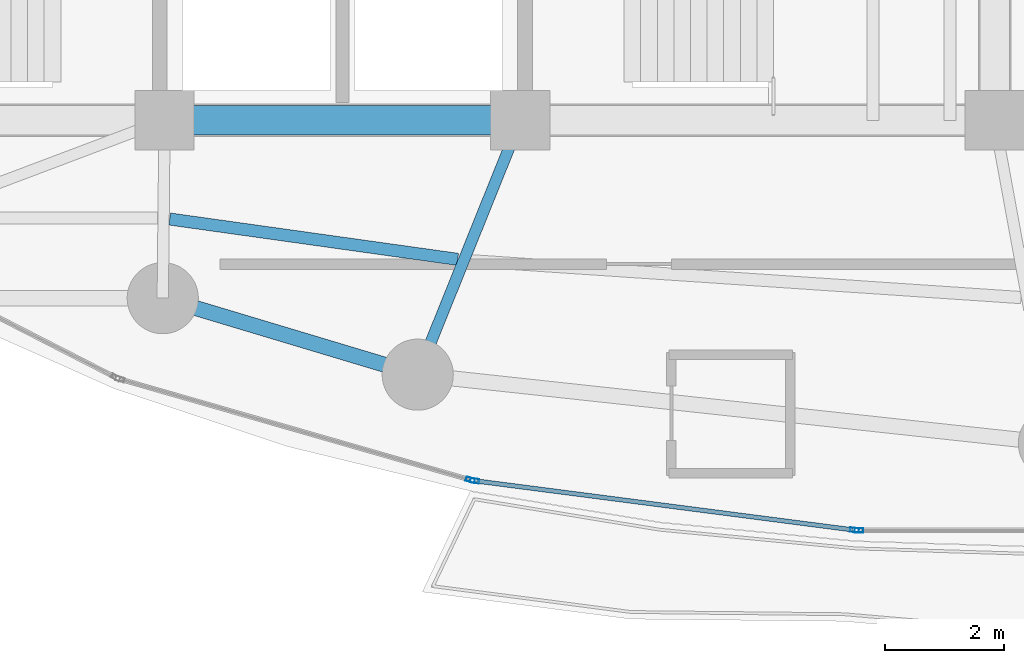
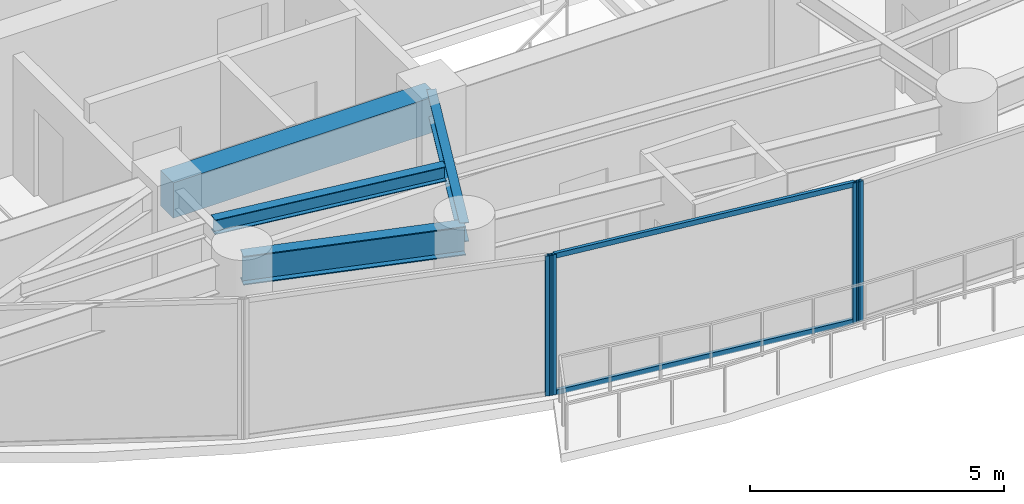
# One storey, part 5 of 28: 6 members, 4 beams, 3 elements without a shape of their own.
"""IFC4 building model written with IfcOpenShell, lengths in metres."""

from ifc_helpers import new_model, si_unit, direction, frame, origin, origin_2d, place, context, subcontext, project, spatial, rectangle, hollow_rectangle, i_section, extrude, material, layer, layer_set, material_profile, profile_set, type_object, element, aggregate, save


model = new_model("IFC4")

# Units and contexts
model_context = context("Model", 3, precision=1e-05, world=origin(), true_north=direction((0.0, 1.0)))
body_context = subcontext(model_context, "Body", "Model", "MODEL_VIEW")
ifc_project = project(units=[si_unit("LENGTHUNIT", "METRE"), si_unit("AREAUNIT", "SQUARE_METRE"), si_unit("VOLUMEUNIT", "CUBIC_METRE"), si_unit("PLANEANGLEUNIT", "RADIAN"), si_unit("MASSUNIT", "GRAM", prefix="KILO")], contexts=[model_context])

# Site, building, storey
site_placement = place(None, origin())
site = spatial("IfcSite", under=ifc_project, at=site_placement, CompositionType="ELEMENT")
building_placement = place(site_placement, origin())
building = spatial("IfcBuilding", under=site, at=building_placement, Name="Kazevale Care Tower and Concert Hall", CompositionType="ELEMENT")
storey_placement = place(building_placement, frame((0.0, 0.0, 142.199951171875)))
storey = spatial("IfcBuildingStorey", under=building, at=storey_placement, Name="L37", CompositionType="ELEMENT", Elevation=142.199951171875)

# Curtain wall, member
ifc_material_1 = material(Name="Aluminium 6063-T6 and Low-E Glass", Category="aluminium")
ifc_layer = layer(ifc_material_1, 0.179931640625)
ifc_layer_set = layer_set([ifc_layer], Name="Aluminium 6063-T6 and Low-E Glass")
curtain_wall_type = type_object("IfcCurtainWallType", Name="Sheltered Concave Balcony Curtain Wall CW-5", PredefinedType="NOTDEFINED", material=ifc_layer_set)
curtain_wall_1_placement = place(storey_placement, origin())
curtain_wall_1 = element("IfcCurtainWall", 1, at=curtain_wall_1_placement, inside=storey, type_object=curtain_wall_type, Name="cw:L37:f06", PredefinedType="NOTDEFINED")
ifc_material_2 = material(Name="Aluminium 6063-T6", Category="aluminium")
ifc_material_profile_1 = material_profile(ifc_material_2, hollow_rectangle(XDim=0.074951171875, YDim=0.14990234375, WallThickness=0.00390625, at=origin_2d()), Name="ALU75x150x4")
ifc_profile_set_1 = profile_set([ifc_material_profile_1], Name="Aluminium 6063-T6")
member_type_1 = type_object("IfcMemberType", Name="CW-5 Mullion ALU75x150x4", PredefinedType="MULLION", material=ifc_profile_set_1)
member_1_placement = place(storey_placement, frame((41.71240234375, 16.68408203125, 0.0), z_axis=(0.0, 0.0, 1.0), x_axis=(0.0, -1.0, 0.0)))
member_1 = element("IfcMember", 2, at=member_1_placement, type_object=member_type_1, Name="CW-5 mullion 2", PredefinedType="MULLION", context=body_context, shape_type="SweptSolid", body=[
    extrude(hollow_rectangle(XDim=0.074951171875, YDim=0.14990234375, WallThickness=0.00390625, at=origin_2d()), origin(), (0.0, 0.0, 1.0), 3.360107421875),
])
aggregate(curtain_wall_1, [member_1])

# Curtain wall, members
curtain_wall_2_placement = place(storey_placement, origin())
curtain_wall_2 = element("IfcCurtainWall", 3, at=curtain_wall_2_placement, inside=storey, type_object=curtain_wall_type, Name="cw:L37:f07", PredefinedType="NOTDEFINED")
member_2_placement = place(storey_placement, frame((41.6376953125, 16.688720703125, 0.0), z_axis=(0.0, 0.0, 1.0), x_axis=(-0.12868500567, -0.991685519364, 0.0)))
member_2 = element("IfcMember", 4, at=member_2_placement, type_object=member_type_1, Name="CW-5 mullion 1", PredefinedType="MULLION", context=body_context, shape_type="SweptSolid", body=[
    extrude(hollow_rectangle(XDim=0.074951171875, YDim=0.14990234375, WallThickness=0.00390625, at=origin_2d()), origin(), (0.0, 0.0, 1.0), 3.360107421875),
])
member_3_placement = place(storey_placement, frame((35.231201171875, 17.520263671875, 0.0), z_axis=(0.0, 0.0, 1.0), x_axis=(-0.12868500567, -0.991685519364, 0.0)))
member_3 = element("IfcMember", 5, at=member_3_placement, type_object=member_type_1, Name="CW-5 mullion 2", PredefinedType="MULLION", context=body_context, shape_type="SweptSolid", body=[
    extrude(hollow_rectangle(XDim=0.074951171875, YDim=0.14990234375, WallThickness=0.00390625, at=origin_2d()), origin(), (0.0, 0.0, 1.0), 3.360107421875),
])

# Curtain wall, member
curtain_wall_3_placement = place(storey_placement, origin())
curtain_wall_3 = element("IfcCurtainWall", 6, at=curtain_wall_3_placement, inside=storey, type_object=curtain_wall_type, Name="cw:L37:f08", PredefinedType="NOTDEFINED")
member_4_placement = place(storey_placement, frame((35.157958984375, 17.535400390625, 0.0), z_axis=(0.0, 0.0, 1.0), x_axis=(-0.276290733172, -0.961074102639, 0.0)))
member_4 = element("IfcMember", 7, at=member_4_placement, type_object=member_type_1, Name="CW-5 mullion 1", PredefinedType="MULLION", context=body_context, shape_type="SweptSolid", body=[
    extrude(hollow_rectangle(XDim=0.074951171875, YDim=0.14990234375, WallThickness=0.00390625, at=origin_2d()), origin(), (0.0, 0.0, 1.0), 3.360107421875),
])
aggregate(curtain_wall_3, [member_4])

# Member
ifc_material_profile_2 = material_profile(ifc_material_2, hollow_rectangle(XDim=0.074951171875, YDim=0.1201171875, WallThickness=0.00390625, at=origin_2d()), Name="ALU75x120x4")
ifc_profile_set_2 = profile_set([ifc_material_profile_2], Name="Aluminium 6063-T6")
member_type_2 = type_object("IfcMemberType", Name="CW-5 Transom ALU75x120x4", PredefinedType="USERDEFINED", material=ifc_profile_set_2)
member_5_placement = place(storey_placement, frame((41.6005859375, 16.693603515625, 0.03759765625), z_axis=(-0.991683991743, 0.12869677743, 0.0), x_axis=(-0.12869677743, -0.991683991743, 0.0)))
member_5 = element("IfcMember", 8, at=member_5_placement, type_object=member_type_2, Name="CW-5 transom 1.1", ObjectType="TRANSOM", PredefinedType="USERDEFINED", context=body_context, shape_type="SweptSolid", body=[
    extrude(hollow_rectangle(XDim=0.074951171875, YDim=0.1201171875, WallThickness=0.00390625, at=origin_2d()), origin(), (0.0, 0.0, 1.0), 6.385498046875),
])

member_6_placement = place(storey_placement, frame((41.6005859375, 16.693603515625, 3.322509765625), z_axis=(-0.991683991743, 0.12869677743, 0.0), x_axis=(-0.12869677743, -0.991683991743, 0.0)))
member_6 = element("IfcMember", 9, at=member_6_placement, type_object=member_type_2, Name="CW-5 transom 1.2", ObjectType="TRANSOM", PredefinedType="USERDEFINED", context=body_context, shape_type="SweptSolid", body=[
    extrude(hollow_rectangle(XDim=0.074951171875, YDim=0.1201171875, WallThickness=0.00390625, at=origin_2d()), origin(), (0.0, 0.0, 1.0), 6.385498046875),
])

aggregate(curtain_wall_2, [member_2, member_3, member_5, member_6])

# Beams
ifc_material_3 = material(Name="Concrete C60", Category="concrete")
ifc_material_profile_3 = material_profile(ifc_material_3, rectangle(XDim=0.5, YDim=0.85009765625, at=origin_2d()), Name="RC-B500x850")
ifc_profile_set_3 = profile_set([ifc_material_profile_3], Name="Concrete C60")
beam_type_1 = type_object("IfcBeamType", Name="Core Coupling Beam RC500x850", PredefinedType="LINTEL", material=ifc_profile_set_3)
beam_1_placement = place(storey_placement, frame((30.0, 23.60009765625, 2.93505859375), z_axis=(1.0, 0.0, 0.0), x_axis=(0.0, 1.0, 0.0)))
element("IfcBeam", 10, at=beam_1_placement, inside=storey, type_object=beam_type_1, Name="beam:L37:coretie:2", PredefinedType="LINTEL", context=body_context, shape_type="SweptSolid", body=[
    extrude(rectangle(XDim=0.5, YDim=0.85009765625, at=origin_2d()), origin(), (0.0, 0.0, 1.0), 6.0),
])
ifc_material_4 = material(Name="Steel ASTM A572 Gr 50", Category="steel")
ifc_material_profile_4 = material_profile(ifc_material_4, i_section(OverallWidth=0.19091796875, OverallDepth=0.4599609375, WebThickness=0.010009765625, FlangeThickness=0.01611328125, at=origin_2d()), Name="W460x82")
ifc_profile_set_4 = profile_set([ifc_material_profile_4], Name="Steel ASTM A572 Gr 50")
beam_type_2 = type_object("IfcBeamType", Name="Radial Floor Beam W460x82", PredefinedType="BEAM", material=ifc_profile_set_4)
beam_2_placement = place(storey_placement, frame((36.0, 23.60009765625, 3.130126953125), z_axis=(-0.373991766452, -0.927432023722, 0.0), x_axis=(0.927432023722, -0.373991766452, 0.0)))
element("IfcBeam", 11, at=beam_2_placement, inside=storey, type_object=beam_type_2, Name="beam:L37:rad:12", PredefinedType="BEAM", context=body_context, shape_type="SweptSolid", body=[
    extrude(i_section(OverallWidth=0.19091796875, OverallDepth=0.4599609375, WebThickness=0.010009765625, FlangeThickness=0.01611328125, at=origin_2d()), origin(), (0.0, 0.0, 1.0), 4.625732421875),
])
ifc_material_profile_5 = material_profile(ifc_material_4, i_section(OverallWidth=0.205078125, OverallDepth=0.35400390625, WebThickness=0.009521484375, FlangeThickness=0.016845703125, at=origin_2d()), Name="W360x79")
ifc_profile_set_5 = profile_set([ifc_material_profile_5], Name="Steel ASTM A572 Gr 50")
beam_type_3 = type_object("IfcBeamType", Name="Secondary Floor Joist W360x79", PredefinedType="JOIST", material=ifc_profile_set_5)
beam_3_placement = place(storey_placement, frame((30.0869140625, 21.93505859375, 3.18310546875), z_axis=(0.990340789942, -0.138654678164, 0.0), x_axis=(0.138654678164, 0.990340789942, 0.0)))
element("IfcBeam", 12, at=beam_3_placement, inside=storey, type_object=beam_type_3, Name="beam:L37:joist:11", PredefinedType="JOIST", context=body_context, shape_type="SweptSolid", body=[
    extrude(i_section(OverallWidth=0.205078125, OverallDepth=0.35400390625, WebThickness=0.009521484375, FlangeThickness=0.016845703125, at=origin_2d()), origin(), (0.0, 0.0, 1.0), 4.905517578125),
])
ifc_material_profile_6 = material_profile(ifc_material_4, i_section(OverallWidth=0.256103515625, OverallDepth=0.693115234375, WebThickness=0.014404296875, FlangeThickness=0.023681640625, at=origin_2d()), Name="W690x170")
ifc_profile_set_6 = profile_set([ifc_material_profile_6], Name="Steel ASTM A572 Gr 50")
beam_type_4 = type_object("IfcBeamType", Name="Waist Ring Beam W690x170", PredefinedType="BEAM", material=ifc_profile_set_6)
beam_4_placement = place(storey_placement, frame((29.969970703125, 20.60009765625, 3.013427734375), z_axis=(0.957824788464, -0.287352874709, 0.0), x_axis=(0.287352874709, 0.957824788464, 0.0)))
element("IfcBeam", 13, at=beam_4_placement, inside=storey, type_object=beam_type_4, Name="beam:L37:ring:11", PredefinedType="BEAM", context=body_context, shape_type="SweptSolid", body=[
    extrude(i_section(OverallWidth=0.256103515625, OverallDepth=0.693115234375, WebThickness=0.014404296875, FlangeThickness=0.023681640625, at=origin_2d()), origin(), (0.0, 0.0, 1.0), 4.489501953125),
])

save(model, "model.ifc")
